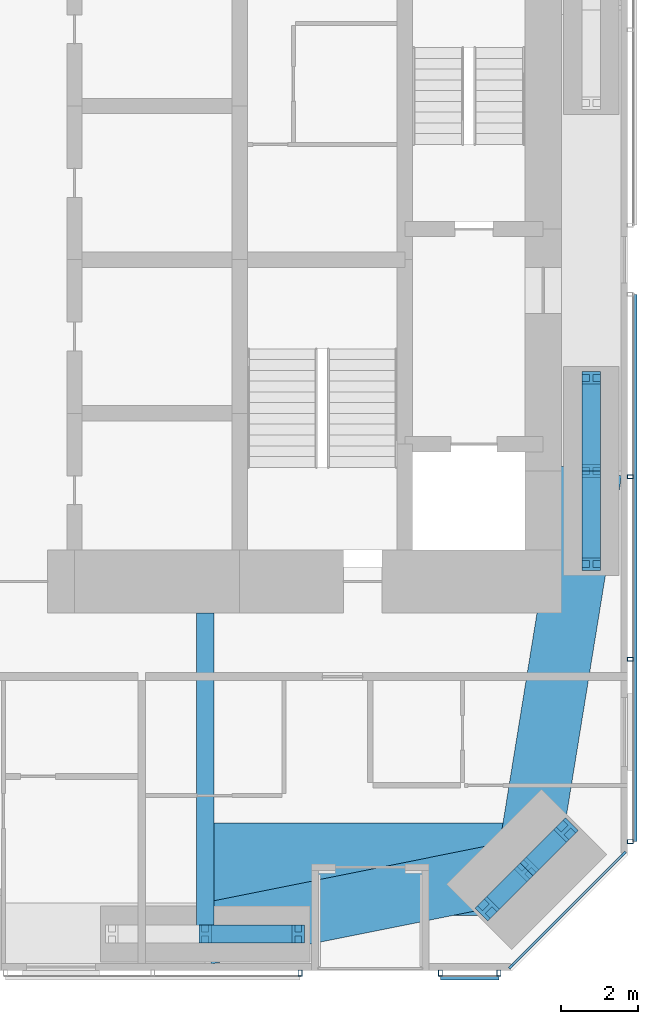
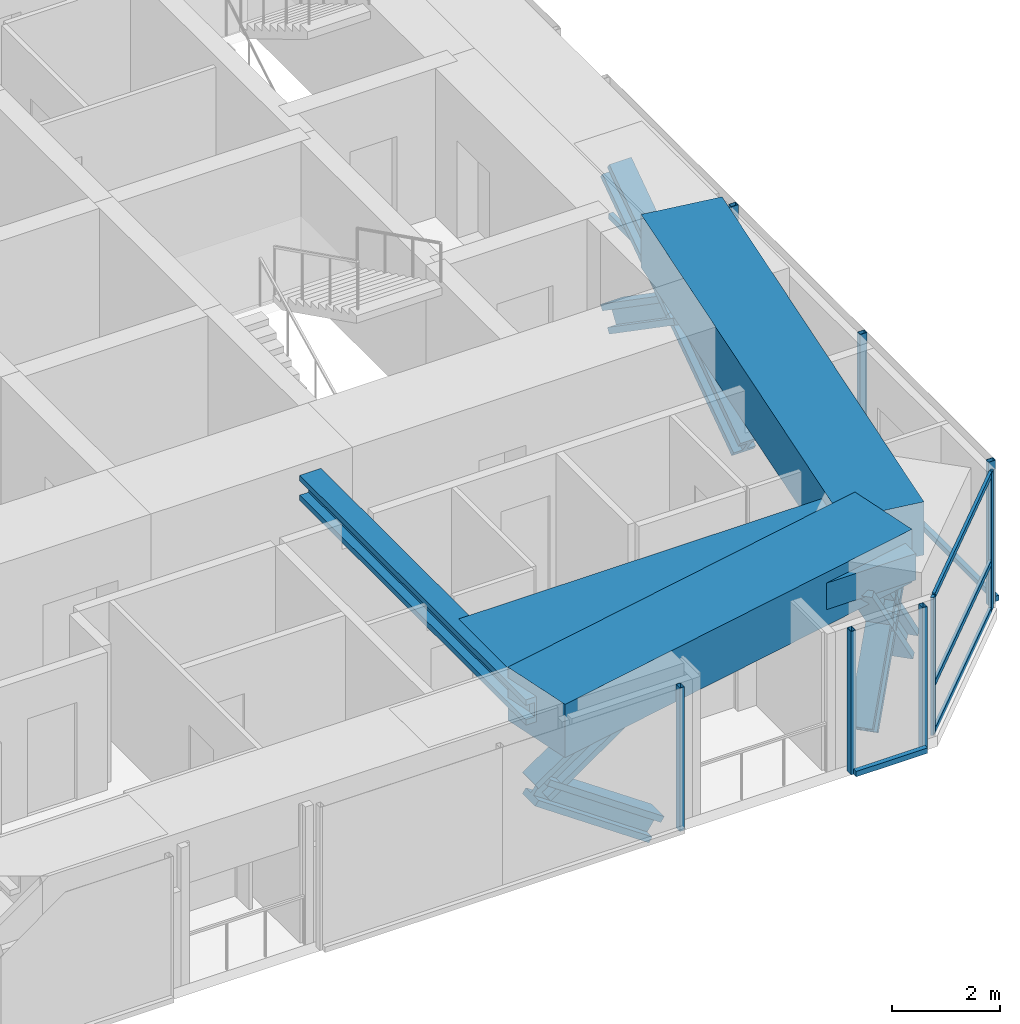
# One storey, part 8 of 23: 23 members, 4 beams, 4 elements without a shape of their own.
"""IFC4 building model written with IfcOpenShell, lengths in metres."""

from ifc_helpers import new_model, si_unit, direction, frame, origin, origin_2d, place, context, subcontext, project, spatial, rectangle, hollow_rectangle, i_section, extrude, material, material_profile, profile_set, type_object, element, aggregate, save


model = new_model("IFC4")

# Units and contexts
model_context = context("Model", 3, precision=1e-05, world=origin(), true_north=direction((0.0, 1.0)))
body_context = subcontext(model_context, "Body", "Model", "MODEL_VIEW")
ifc_project = project(units=[si_unit("LENGTHUNIT", "METRE"), si_unit("AREAUNIT", "SQUARE_METRE"), si_unit("VOLUMEUNIT", "CUBIC_METRE"), si_unit("PLANEANGLEUNIT", "RADIAN"), si_unit("MASSUNIT", "GRAM", prefix="KILO")], contexts=[model_context])

# Site, building, storey
site_placement = place(None, origin())
site = spatial("IfcSite", under=ifc_project, at=site_placement, CompositionType="ELEMENT")
building_placement = place(site_placement, origin())
building = spatial("IfcBuilding", under=site, at=building_placement, Name="Jalousie Tower", CompositionType="ELEMENT")
storey_placement = place(building_placement, frame((0.0, 0.0, 27.699951171875)))
storey = spatial("IfcBuildingStorey", under=building, at=storey_placement, Name="L06", CompositionType="ELEMENT", Elevation=27.699951171875)

# Curtain wall, members
ifc_material_1 = material(Name="Aluminium curtain wall", Category="aluminium")
curtain_wall_type_1 = type_object("IfcCurtainWallType", Name="CORNER WINDOW WALL", PredefinedType="USERDEFINED", material=ifc_material_1)
curtain_wall_1_placement = place(storey_placement, origin())
curtain_wall_1 = element("IfcCurtainWall", 1, at=curtain_wall_1_placement, inside=storey, type_object=curtain_wall_type_1, Name="Corner Window Wall L06 2", ObjectType="CORNER WINDOW WALL", PredefinedType="USERDEFINED")
ifc_material_2 = material(Name="Aluminium mullion", Category="aluminium")
ifc_material_profile_1 = material_profile(ifc_material_2, rectangle(XDim=0.06005859375, YDim=0.14990234375, at=origin_2d()), Name="MULLION 60x150")
ifc_profile_set_1 = profile_set([ifc_material_profile_1], Name="Aluminium mullion")
member_type_1 = type_object("IfcMemberType", Name="CORNER WINDOW WALL MULLION", PredefinedType="MULLION", material=ifc_profile_set_1)
member_1_placement = place(storey_placement, frame((42.969970703125, 0.108642578125, 0.0), z_axis=(0.0, 0.0, 1.0), x_axis=(-0.707106781187, 0.707106781187, 0.0)))
member_1 = element("IfcMember", 2, at=member_1_placement, type_object=member_type_1, Name="CW-C mullion 1", PredefinedType="MULLION", context=body_context, shape_type="SweptSolid", body=[
    extrude(rectangle(XDim=0.06005859375, YDim=0.14990234375, at=origin_2d()), origin(), (0.0, 0.0, 1.0), 3.110107421875),
])
member_2_placement = place(storey_placement, frame((45.891357421875, 3.030029296875, 0.0), z_axis=(0.0, 0.0, 1.0), x_axis=(-0.707106781187, 0.707106781187, 0.0)))
member_2 = element("IfcMember", 3, at=member_2_placement, type_object=member_type_1, Name="CW-C mullion 2", PredefinedType="MULLION", context=body_context, shape_type="SweptSolid", body=[
    extrude(rectangle(XDim=0.06005859375, YDim=0.14990234375, at=origin_2d()), origin(), (0.0, 0.0, 1.0), 3.110107421875),
])
ifc_material_3 = material(Name="Aluminium transom", Category="aluminium")
ifc_material_profile_2 = material_profile(ifc_material_3, rectangle(XDim=0.06005859375, YDim=0.1201171875, at=origin_2d()), Name="TRANSOM 60x120")
ifc_profile_set_2 = profile_set([ifc_material_profile_2], Name="Aluminium transom")
member_type_2 = type_object("IfcMemberType", Name="CORNER WINDOW WALL TRANSOM", PredefinedType="USERDEFINED", material=ifc_profile_set_2)
member_3_placement = place(storey_placement, frame((42.9912109375, 0.1298828125, 0.030029296875), z_axis=(0.707106781187, 0.707106781187, 0.0), x_axis=(-0.707106781187, 0.707106781187, 0.0)))
member_3 = element("IfcMember", 4, at=member_3_placement, type_object=member_type_2, Name="CW-C transom 1.1", ObjectType="TRANSOM", PredefinedType="USERDEFINED", context=body_context, shape_type="SweptSolid", body=[
    extrude(rectangle(XDim=0.06005859375, YDim=0.1201171875, at=origin_2d()), origin(), (0.0, 0.0, 1.0), 4.0712890625),
])
member_4_placement = place(storey_placement, frame((42.9912109375, 0.1298828125, 1.10009765625), z_axis=(0.707106781187, 0.707106781187, 0.0), x_axis=(-0.707106781187, 0.707106781187, 0.0)))
member_4 = element("IfcMember", 5, at=member_4_placement, type_object=member_type_2, Name="CW-C transom 1.2", ObjectType="TRANSOM", PredefinedType="USERDEFINED", context=body_context, shape_type="SweptSolid", body=[
    extrude(rectangle(XDim=0.06005859375, YDim=0.1201171875, at=origin_2d()), origin(), (0.0, 0.0, 1.0), 4.0712890625),
])
member_5_placement = place(storey_placement, frame((42.9912109375, 0.1298828125, 3.080078125), z_axis=(0.707106781187, 0.707106781187, 0.0), x_axis=(-0.707106781187, 0.707106781187, 0.0)))
member_5 = element("IfcMember", 6, at=member_5_placement, type_object=member_type_2, Name="CW-C transom 1.3", ObjectType="TRANSOM", PredefinedType="USERDEFINED", context=body_context, shape_type="SweptSolid", body=[
    extrude(rectangle(XDim=0.06005859375, YDim=0.1201171875, at=origin_2d()), origin(), (0.0, 0.0, 1.0), 4.0712890625),
])
aggregate(curtain_wall_1, [member_1, member_2, member_3, member_4, member_5])

# Beam
ifc_material_4 = material(Name="Steel ASTM A992 Grade 50", Category="steel")
ifc_material_profile_3 = material_profile(ifc_material_4, i_section(OverallWidth=0.45458984375, OverallDepth=0.569091796875, WebThickness=0.077880859375, FlangeThickness=0.124755859375, at=origin_2d()), Name="W14X730")
ifc_profile_set_3 = profile_set([ifc_material_profile_3], Name="Steel ASTM A992 Grade 50")
beam_type_1 = type_object("IfcBeamType", Name="LEAN COLLECTOR W14X730", PredefinedType="BEAM", material=ifc_profile_set_3)
beam_1_placement = place(storey_placement, frame((35.0, 0.949951171875, 2.825439453125), z_axis=(0.0, 1.0, 0.0), x_axis=(-1.0, 0.0, 0.0)))
element("IfcBeam", 7, at=beam_1_placement, inside=storey, type_object=beam_type_1, Name="Lean collector under L07", PredefinedType="BEAM", context=body_context, shape_type="SweptSolid", body=[
    extrude(i_section(OverallWidth=0.45458984375, OverallDepth=0.569091796875, WebThickness=0.077880859375, FlangeThickness=0.124755859375, at=origin_2d()), origin(), (0.0, 0.0, 1.0), 8.35009765625),
])

# Members
ifc_material_5 = material(Name="Steel ASTM A992 Grade 50", Category="steel")
ifc_material_profile_4 = material_profile(ifc_material_5, i_section(OverallWidth=0.472412109375, OverallDepth=0.5791015625, WebThickness=0.094970703125, FlangeThickness=0.1298828125, at=origin_2d()), Name="W14X808")
ifc_profile_set_4 = profile_set([ifc_material_profile_4], Name="Steel ASTM A992 Grade 50")
member_type_3 = type_object("IfcMemberType", Name="PERIMETER BRACE W14X808", PredefinedType="BRACE", material=ifc_profile_set_4)
for number, where, z_axis, x_axis, name in (
    (8, (35.0, 0.949951171875, 1.074951171875), (0.822800062329, 0.0, 0.568330940062), (0.0, 1.0, 0.0), "Perimeter brace 04 L06 part 2"),
    (9, (37.425048828125, 0.949951171875, -0.599853515625), (-0.82283879777, 0.0, 0.568274856811), (0.0, -1.0, 0.0), "Perimeter brace 04 L06 part 3"),
):
    element("IfcMember", number, at=place(storey_placement, frame(where, z_axis=z_axis, x_axis=x_axis)), inside=storey, type_object=member_type_3, Name=name, PredefinedType="BRACE", context=body_context, shape_type="SweptSolid", body=[
        extrude(i_section(OverallWidth=0.472412109375, OverallDepth=0.5791015625, WebThickness=0.094970703125, FlangeThickness=0.1298828125, at=origin_2d()), origin(), (0.0, 0.0, 1.0), 2.947265625),
    ])
for number, where, z_axis, x_axis, name in (
    (10, (42.34326171875, 1.606201171875, -0.599853515625), (0.462878559809, 0.462768350628, 0.756034981021), (-0.707022586774, 0.707190965575, 0.0), "Perimeter brace 05 L06 part 1"),
    (11, (43.36865234375, 2.63134765625, 1.074951171875), (0.462729793854, 0.462839993852, 0.756082189957), (-0.707190965575, 0.707022586774, 0.0), "Perimeter brace 05 L06 part 2"),
    (12, (44.393798828125, 3.65673828125, -0.599853515625), (-0.462768350628, -0.462878559809, 0.756034981021), (0.707190965575, -0.707022586774, 0.0), "Perimeter brace 05 L06 part 3"),
    (13, (43.36865234375, 2.63134765625, 1.074951171875), (-0.462839993852, -0.462729793854, 0.756082189957), (0.707022586774, -0.707190965575, 0.0), "Perimeter brace 05 L06 part 4"),
):
    element("IfcMember", number, at=place(storey_placement, frame(where, z_axis=z_axis, x_axis=x_axis)), inside=storey, type_object=member_type_3, Name=name, PredefinedType="BRACE", context=body_context, shape_type="SweptSolid", body=[
        extrude(i_section(OverallWidth=0.472412109375, OverallDepth=0.5791015625, WebThickness=0.094970703125, FlangeThickness=0.1298828125, at=origin_2d()), origin(), (0.0, 0.0, 1.0), 2.21533203125),
    ])
for number, where, z_axis, x_axis, name in (
    (14, (45.050048828125, 10.574951171875, -0.599853515625), (0.0, 0.82283879777, 0.568274856811), (-1.0, 0.0, 0.0), "Perimeter brace 06 L06 part 1"),
    (15, (45.050048828125, 13.0, 1.074951171875), (0.0, 0.822800062329, 0.568330940062), (-1.0, 0.0, 0.0), "Perimeter brace 06 L06 part 2"),
    (16, (45.050048828125, 15.425048828125, -0.599853515625), (0.0, -0.82283879777, 0.568274856811), (1.0, 0.0, 0.0), "Perimeter brace 06 L06 part 3"),
    (17, (45.050048828125, 13.0, 1.074951171875), (0.0, -0.822800062329, 0.568330940062), (1.0, 0.0, 0.0), "Perimeter brace 06 L06 part 4"),
):
    element("IfcMember", number, at=place(storey_placement, frame(where, z_axis=z_axis, x_axis=x_axis)), inside=storey, type_object=member_type_3, Name=name, PredefinedType="BRACE", context=body_context, shape_type="SweptSolid", body=[
        extrude(i_section(OverallWidth=0.472412109375, OverallDepth=0.5791015625, WebThickness=0.094970703125, FlangeThickness=0.1298828125, at=origin_2d()), origin(), (0.0, 0.0, 1.0), 2.947265625),
    ])

# Beams
ifc_material_6 = material(Name="Concrete f'c 40 MPa", Category="concrete")
ifc_material_profile_5 = material_profile(ifc_material_6, rectangle(XDim=1.60009765625, YDim=1.199951171875, at=origin_2d()), Name="RC 1600x1200")
ifc_profile_set_5 = profile_set([ifc_material_profile_5], Name="Concrete f'c 40 MPa")
beam_type_2 = type_object("IfcBeamType", Name="RC BEAM 1600x1200", PredefinedType="BEAM", material=ifc_profile_set_5)
beam_2_placement = place(storey_placement, frame((35.0, 0.949951171875, 2.75), z_axis=(0.980407585444, 0.196979609107, 0.0), x_axis=(-0.196979609107, 0.980407585444, 0.0)))
element("IfcBeam", 18, at=beam_2_placement, inside=storey, type_object=beam_type_2, Name="Edge band beam 04-05 under L07", PredefinedType="BEAM", context=body_context, shape_type="SweptSolid", body=[
    extrude(rectangle(XDim=1.60009765625, YDim=1.199951171875, at=origin_2d()), origin(), (0.0, 0.0, 1.0), 8.535888671875),
])
beam_3_placement = place(storey_placement, frame((43.36865234375, 2.63134765625, 2.75), z_axis=(0.160070546476, 0.987105577003, 0.0), x_axis=(-0.987105577003, 0.160070546476, 0.0)))
element("IfcBeam", 19, at=beam_3_placement, inside=storey, type_object=beam_type_2, Name="Edge band beam 05-06 under L07", PredefinedType="BEAM", context=body_context, shape_type="SweptSolid", body=[
    extrude(rectangle(XDim=1.60009765625, YDim=1.199951171875, at=origin_2d()), origin(), (0.0, 0.0, 1.0), 10.504150390625),
])
ifc_material_7 = material(Name="Concrete f'c 40 MPa", Category="concrete")
ifc_material_profile_6 = material_profile(ifc_material_7, rectangle(XDim=2.39990234375, YDim=0.60009765625, at=origin_2d()), Name="RC 2400x600")
ifc_profile_set_6 = profile_set([ifc_material_profile_6], Name="Concrete f'c 40 MPa")
beam_type_3 = type_object("IfcBeamType", Name="RC BEAM 2400x600", PredefinedType="BEAM", material=ifc_profile_set_6)
beam_4_placement = place(storey_placement, frame((43.36865234375, 2.63134765625, 2.81005859375), z_axis=(-1.0, 0.0, 0.0), x_axis=(0.0, -1.0, 0.0)))
element("IfcBeam", 20, at=beam_4_placement, inside=storey, type_object=beam_type_3, Name="Floor band beam under L07", PredefinedType="BEAM", context=body_context, shape_type="SweptSolid", body=[
    extrude(rectangle(XDim=2.39990234375, YDim=0.60009765625, at=origin_2d()), origin(), (0.0, 0.0, 1.0), 8.36865234375),
])

# Curtain wall, member
ifc_material_8 = material(Name="Perforated aluminium sheet", Category="aluminium")
curtain_wall_type_2 = type_object("IfcCurtainWallType", Name="SOLAR SCREEN SS-1", PredefinedType="USERDEFINED", material=ifc_material_8)
curtain_wall_2_placement = place(storey_placement, origin())
curtain_wall_2 = element("IfcCurtainWall", 21, at=curtain_wall_2_placement, inside=storey, type_object=curtain_wall_type_2, Name="Solar screen L06", ObjectType="SOLAR SCREEN SS-1", PredefinedType="USERDEFINED")
ifc_material_9 = material(Name="Steel ASTM A500 Grade C", Category="steel")
ifc_material_profile_7 = material_profile(ifc_material_9, hollow_rectangle(XDim=0.1015625, YDim=0.15234375, WallThickness=0.00634765625, at=origin_2d()), Name="HSS6X4X1/4")
ifc_profile_set_7 = profile_set([ifc_material_profile_7], Name="Steel ASTM A500 Grade C")
member_type_4 = type_object("IfcMemberType", Name="SOLAR SCREEN SS-1 MULLION", PredefinedType="MULLION", material=ifc_profile_set_7)
member_6_placement = place(storey_placement, frame((37.47509765625, -0.0712890625, -0.119873046875), z_axis=(0.0, 0.0, 1.0), x_axis=(1.0, 0.0, 0.0)))
member_6 = element("IfcMember", 22, at=member_6_placement, type_object=member_type_4, Name="SS1 post 3", PredefinedType="MULLION", context=body_context, shape_type="SweptSolid", body=[
    extrude(hollow_rectangle(XDim=0.1015625, YDim=0.15234375, WallThickness=0.00634765625, at=origin_2d()), origin(), (0.0, 0.0, 1.0), 3.22998046875),
])
aggregate(curtain_wall_2, [member_6])

# Curtain wall, members
curtain_wall_3_placement = place(storey_placement, origin())
curtain_wall_3 = element("IfcCurtainWall", 23, at=curtain_wall_3_placement, inside=storey, type_object=curtain_wall_type_2, Name="Solar screen L06", ObjectType="SOLAR SCREEN SS-1", PredefinedType="USERDEFINED")
member_7_placement = place(storey_placement, frame((41.125, -0.0712890625, -0.119873046875), z_axis=(0.0, 0.0, 1.0), x_axis=(1.0, 0.0, 0.0)))
member_7 = element("IfcMember", 24, at=member_7_placement, type_object=member_type_4, Name="SS1 post 1", PredefinedType="MULLION", context=body_context, shape_type="SweptSolid", body=[
    extrude(hollow_rectangle(XDim=0.1015625, YDim=0.15234375, WallThickness=0.00634765625, at=origin_2d()), origin(), (0.0, 0.0, 1.0), 3.22998046875),
])
member_8_placement = place(storey_placement, frame((42.648681640625, -0.0712890625, -0.119873046875), z_axis=(0.0, 0.0, 1.0), x_axis=(1.0, 0.0, 0.0)))
member_8 = element("IfcMember", 25, at=member_8_placement, type_object=member_type_4, Name="SS1 post 2", PredefinedType="MULLION", context=body_context, shape_type="SweptSolid", body=[
    extrude(hollow_rectangle(XDim=0.1015625, YDim=0.15234375, WallThickness=0.00634765625, at=origin_2d()), origin(), (0.0, 0.0, 1.0), 3.22998046875),
])

curtain_wall_4_placement = place(storey_placement, origin())
curtain_wall_4 = element("IfcCurtainWall", 26, at=curtain_wall_4_placement, inside=storey, type_object=curtain_wall_type_2, Name="Solar screen L06", ObjectType="SOLAR SCREEN SS-1", PredefinedType="USERDEFINED")
member_9_placement = place(storey_placement, frame((46.0712890625, 3.351318359375, -0.119873046875), z_axis=(0.0, 0.0, 1.0), x_axis=(0.0, 1.0, 0.0)))
member_9 = element("IfcMember", 27, at=member_9_placement, type_object=member_type_4, Name="SS1 post 1", PredefinedType="MULLION", context=body_context, shape_type="SweptSolid", body=[
    extrude(hollow_rectangle(XDim=0.1015625, YDim=0.15234375, WallThickness=0.00634765625, at=origin_2d()), origin(), (0.0, 0.0, 1.0), 3.22998046875),
])
member_10_placement = place(storey_placement, frame((46.0712890625, 8.100830078125, -0.119873046875), z_axis=(0.0, 0.0, 1.0), x_axis=(0.0, 1.0, 0.0)))
member_10 = element("IfcMember", 28, at=member_10_placement, type_object=member_type_4, Name="SS1 post 2", PredefinedType="MULLION", context=body_context, shape_type="SweptSolid", body=[
    extrude(hollow_rectangle(XDim=0.1015625, YDim=0.15234375, WallThickness=0.00634765625, at=origin_2d()), origin(), (0.0, 0.0, 1.0), 3.22998046875),
])
member_11_placement = place(storey_placement, frame((46.0712890625, 12.850341796875, -0.119873046875), z_axis=(0.0, 0.0, 1.0), x_axis=(0.0, 1.0, 0.0)))
member_11 = element("IfcMember", 29, at=member_11_placement, type_object=member_type_4, Name="SS1 post 3", PredefinedType="MULLION", context=body_context, shape_type="SweptSolid", body=[
    extrude(hollow_rectangle(XDim=0.1015625, YDim=0.15234375, WallThickness=0.00634765625, at=origin_2d()), origin(), (0.0, 0.0, 1.0), 3.22998046875),
])

# Member
ifc_material_10 = material(Name="Extruded aluminium screen rail", Category="aluminium")
ifc_material_profile_8 = material_profile(ifc_material_10, rectangle(XDim=0.1015625, YDim=0.1201171875, at=origin_2d()), Name="RAIL 102x120")
ifc_profile_set_8 = profile_set([ifc_material_profile_8], Name="Extruded aluminium screen rail")
member_type_5 = type_object("IfcMemberType", Name="SOLAR SCREEN SS-1 TRANSOM", PredefinedType="USERDEFINED", material=ifc_profile_set_8)
member_12_placement = place(storey_placement, frame((41.125, -0.1982421875, -0.06005859375), z_axis=(1.0, 0.0, 0.0), x_axis=(0.0, 1.0, 0.0)))
member_12 = element("IfcMember", 30, at=member_12_placement, type_object=member_type_5, Name="SS1 rail", ObjectType="TRANSOM", PredefinedType="USERDEFINED", context=body_context, shape_type="SweptSolid", body=[
    extrude(rectangle(XDim=0.1015625, YDim=0.1201171875, at=origin_2d()), origin(), (0.0, 0.0, 1.0), 1.523681640625),
])

aggregate(curtain_wall_3, [member_7, member_8, member_12])

member_13_placement = place(storey_placement, frame((46.1982421875, 3.351318359375, -0.06005859375), z_axis=(0.0, 1.0, 0.0), x_axis=(-1.0, 0.0, 0.0)))
member_13 = element("IfcMember", 31, at=member_13_placement, type_object=member_type_5, Name="SS1 rail", ObjectType="TRANSOM", PredefinedType="USERDEFINED", context=body_context, shape_type="SweptSolid", body=[
    extrude(rectangle(XDim=0.1015625, YDim=0.1201171875, at=origin_2d()), origin(), (0.0, 0.0, 1.0), 14.248779296875),
])

aggregate(curtain_wall_4, [member_9, member_10, member_11, member_13])

save(model, "model.ifc")
